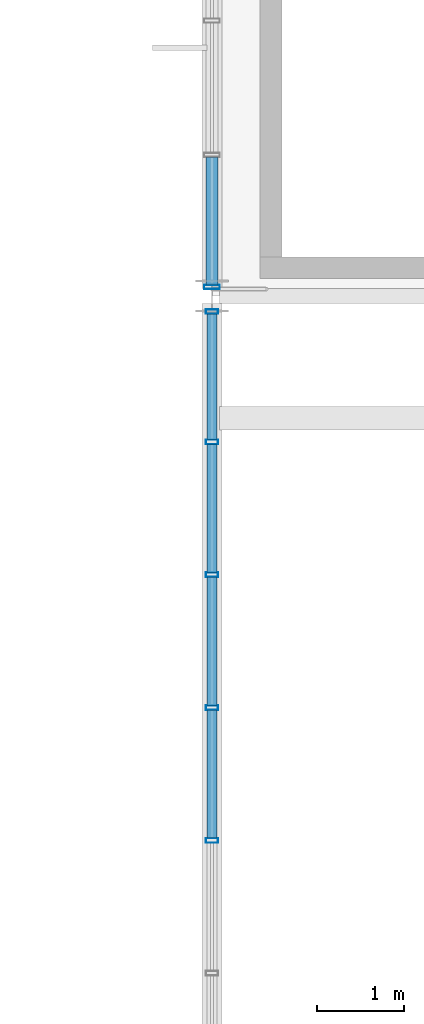
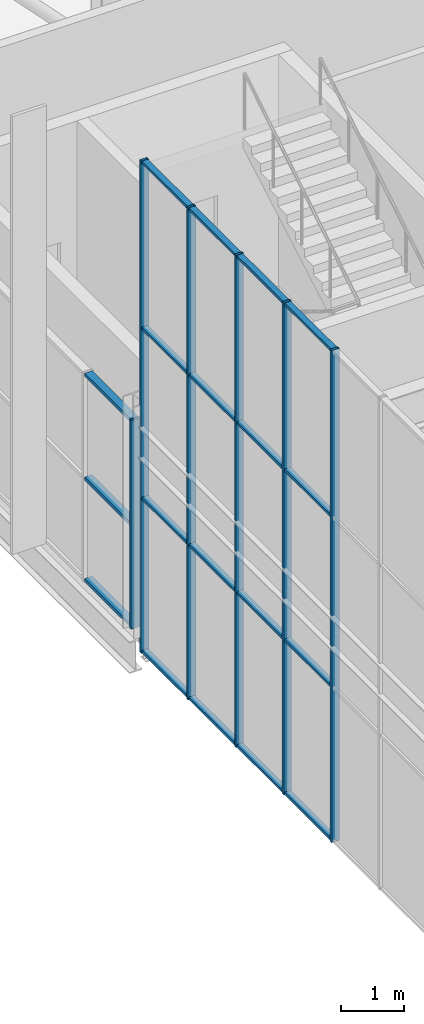
# One storey, part 73 of 324: 25 members, 2 elements without a shape of their own.
"""IFC4 building model written with IfcOpenShell, lengths in metres."""

from ifc_helpers import new_model, si_unit, direction, frame, origin, origin_2d, place, context, subcontext, project, spatial, hollow_rectangle, extrude, material, layer, layer_set, material_profile, profile_set, type_object, element, aggregate, save


model = new_model("IFC4")

# Units and contexts
model_context = context("Model", 3, precision=1e-05, world=origin(), true_north=direction((0.0, 1.0)))
body_context = subcontext(model_context, "Body", "Model", "MODEL_VIEW")
ifc_project = project(units=[si_unit("LENGTHUNIT", "METRE"), si_unit("AREAUNIT", "SQUARE_METRE"), si_unit("VOLUMEUNIT", "CUBIC_METRE"), si_unit("PLANEANGLEUNIT", "RADIAN"), si_unit("MASSUNIT", "GRAM", prefix="KILO")], contexts=[model_context])

# Site, building, storey
site_placement = place(None, origin())
site = spatial("IfcSite", under=ifc_project, at=site_placement, CompositionType="ELEMENT")
building_placement = place(site_placement, origin())
building = spatial("IfcBuilding", under=site, at=building_placement, Name="Solvenia Promenade Tram Depot", CompositionType="ELEMENT")
storey_placement = place(building_placement, frame((0.0, 0.0, 4.5)))
storey = spatial("IfcBuildingStorey", under=building, at=storey_placement, Name="L01", CompositionType="ELEMENT", Elevation=4.5)

# Curtain wall, member
ifc_material = material(Name="Anodized aluminium AW-6063 T6", Category="aluminium")
ifc_layer_1 = layer(ifc_material, 0.14990234375, Name="Anodized aluminium AW-6063 T6", Category="aluminium")
ifc_layer_set_1 = layer_set([ifc_layer_1], Name="Anodized aluminium AW-6063 T6")
curtain_wall_type_1 = type_object("IfcCurtainWallType", Name="CW-Court-1500", PredefinedType="NOTDEFINED", material=ifc_layer_set_1)
curtain_wall_1_placement = place(storey_placement, origin())
curtain_wall_1 = element("IfcCurtainWall", 1, at=curtain_wall_1_placement, inside=storey, type_object=curtain_wall_type_1, Name="Curtain Wall CW-V2W-L1-1", PredefinedType="NOTDEFINED")
ifc_material_profile_1 = material_profile(ifc_material, hollow_rectangle(XDim=0.179931640625, YDim=0.050048828125, WallThickness=0.00390625, at=origin_2d()), Name="ALU-M2", Category="aluminium")
ifc_profile_set_1 = profile_set([ifc_material_profile_1], Name="Anodized aluminium AW-6063 T6")
member_type_1 = type_object("IfcMemberType", Name="CWM-Mullion-2", PredefinedType="MULLION", material=ifc_profile_set_1)
member_1_placement = place(storey_placement, frame((105.0, 38.10498046875, 0.0), z_axis=(0.0, 0.0, 1.0), x_axis=(-1.0, 0.0, 0.0)))
member_1 = element("IfcMember", 2, at=member_1_placement, type_object=member_type_1, Name="CW-5 mullion 1", PredefinedType="MULLION", context=body_context, shape_type="SweptSolid", body=[
    extrude(hollow_rectangle(XDim=0.179931640625, YDim=0.050048828125, WallThickness=0.00390625, at=origin_2d()), origin(), (0.0, 0.0, 1.0), 4.050048828125),
])

# Curtain wall, members
ifc_layer_2 = layer(ifc_material, 0.080078125, Name="Anodized aluminium AW-6063 T6", Category="aluminium")
ifc_layer_set_2 = layer_set([ifc_layer_2], Name="Anodized aluminium AW-6063 T6")
curtain_wall_type_2 = type_object("IfcCurtainWallType", Name="CW-Clerest-1500", PredefinedType="NOTDEFINED", material=ifc_layer_set_2)
curtain_wall_2_placement = place(storey_placement, origin())
curtain_wall_2 = element("IfcCurtainWall", 3, at=curtain_wall_2_placement, inside=storey, type_object=curtain_wall_type_2, Name="Curtain Wall CW-V2W-CRANE-L1", PredefinedType="NOTDEFINED")
ifc_material_profile_2 = material_profile(ifc_material, hollow_rectangle(XDim=0.139892578125, YDim=0.054931640625, WallThickness=0.00390625, at=origin_2d()), Name="ALU-M4", Category="aluminium")
ifc_profile_set_2 = profile_set([ifc_material_profile_2], Name="Anodized aluminium AW-6063 T6")
member_type_2 = type_object("IfcMemberType", Name="CWM-Mullion-4", PredefinedType="MULLION", material=ifc_profile_set_2)
member_2_placement = place(storey_placement, frame((105.0, 31.76123046875, -0.300048828125), z_axis=(0.0, 0.0, 1.0), x_axis=(-1.0, 0.0, 0.0)))
member_2 = element("IfcMember", 4, at=member_2_placement, type_object=member_type_2, Name="CW-4 mullion 6", PredefinedType="MULLION", context=body_context, shape_type="SweptSolid", body=[
    extrude(hollow_rectangle(XDim=0.139892578125, YDim=0.054931640625, WallThickness=0.00390625, at=origin_2d()), origin(), (0.0, 0.0, 1.0), 9.550048828125),
])
member_3_placement = place(storey_placement, frame((105.0, 33.283447265625, -0.300048828125), z_axis=(0.0, 0.0, 1.0), x_axis=(-1.0, 0.0, 0.0)))
member_3 = element("IfcMember", 5, at=member_3_placement, type_object=member_type_2, Name="CW-4 mullion 7", PredefinedType="MULLION", context=body_context, shape_type="SweptSolid", body=[
    extrude(hollow_rectangle(XDim=0.139892578125, YDim=0.054931640625, WallThickness=0.00390625, at=origin_2d()), origin(), (0.0, 0.0, 1.0), 9.550048828125),
])
member_4_placement = place(storey_placement, frame((105.0, 34.8056640625, -0.300048828125), z_axis=(0.0, 0.0, 1.0), x_axis=(-1.0, 0.0, 0.0)))
member_4 = element("IfcMember", 6, at=member_4_placement, type_object=member_type_2, Name="CW-4 mullion 8", PredefinedType="MULLION", context=body_context, shape_type="SweptSolid", body=[
    extrude(hollow_rectangle(XDim=0.139892578125, YDim=0.054931640625, WallThickness=0.00390625, at=origin_2d()), origin(), (0.0, 0.0, 1.0), 9.550048828125),
])
member_5_placement = place(storey_placement, frame((105.0, 36.327880859375, -0.300048828125), z_axis=(0.0, 0.0, 1.0), x_axis=(-1.0, 0.0, 0.0)))
member_5 = element("IfcMember", 7, at=member_5_placement, type_object=member_type_2, Name="CW-4 mullion 9", PredefinedType="MULLION", context=body_context, shape_type="SweptSolid", body=[
    extrude(hollow_rectangle(XDim=0.139892578125, YDim=0.054931640625, WallThickness=0.00390625, at=origin_2d()), origin(), (0.0, 0.0, 1.0), 9.550048828125),
])
member_6_placement = place(storey_placement, frame((105.0, 37.822509765625, -0.300048828125), z_axis=(0.0, 0.0, 1.0), x_axis=(-1.0, 0.0, 0.0)))
member_6 = element("IfcMember", 8, at=member_6_placement, type_object=member_type_2, Name="CW-4 mullion 10", PredefinedType="MULLION", context=body_context, shape_type="SweptSolid", body=[
    extrude(hollow_rectangle(XDim=0.139892578125, YDim=0.054931640625, WallThickness=0.00390625, at=origin_2d()), origin(), (0.0, 0.0, 1.0), 9.550048828125),
])

# Member
ifc_material_profile_3 = material_profile(ifc_material, hollow_rectangle(XDim=0.139892578125, YDim=0.06494140625, WallThickness=0.00390625, at=origin_2d()), Name="ALU-T2", Category="aluminium")
ifc_profile_set_3 = profile_set([ifc_material_profile_3], Name="Anodized aluminium AW-6063 T6")
member_type_3 = type_object("IfcMemberType", Name="CWT-Transom-2", PredefinedType="USERDEFINED", material=ifc_profile_set_3)
member_7_placement = place(storey_placement, frame((105.0, 38.1298828125, 0.032470703125), z_axis=(0.0, 1.0, 0.0), x_axis=(-1.0, 0.0, 0.0)))
member_7 = element("IfcMember", 9, at=member_7_placement, type_object=member_type_3, Name="CW-5 transom 1.1", ObjectType="TRANSOM", PredefinedType="USERDEFINED", context=body_context, shape_type="SweptSolid", body=[
    extrude(hollow_rectangle(XDim=0.139892578125, YDim=0.06494140625, WallThickness=0.00390625, at=origin_2d()), origin(), (0.0, 0.0, 1.0), 1.462890625),
])

member_8_placement = place(storey_placement, frame((105.0, 38.1298828125, 2.0), z_axis=(0.0, 1.0, 0.0), x_axis=(-1.0, 0.0, 0.0)))
member_8 = element("IfcMember", 10, at=member_8_placement, type_object=member_type_3, Name="CW-5 transom 1.2", ObjectType="TRANSOM", PredefinedType="USERDEFINED", context=body_context, shape_type="SweptSolid", body=[
    extrude(hollow_rectangle(XDim=0.139892578125, YDim=0.06494140625, WallThickness=0.00390625, at=origin_2d()), origin(), (0.0, 0.0, 1.0), 1.462890625),
])

member_9_placement = place(storey_placement, frame((105.0, 38.1298828125, 4.017578125), z_axis=(0.0, 1.0, 0.0), x_axis=(-1.0, 0.0, 0.0)))
member_9 = element("IfcMember", 11, at=member_9_placement, type_object=member_type_3, Name="CW-5 transom 1.3", ObjectType="TRANSOM", PredefinedType="USERDEFINED", context=body_context, shape_type="SweptSolid", body=[
    extrude(hollow_rectangle(XDim=0.139892578125, YDim=0.06494140625, WallThickness=0.00390625, at=origin_2d()), origin(), (0.0, 0.0, 1.0), 1.462890625),
])

aggregate(curtain_wall_1, [member_1, member_7, member_8, member_9])

ifc_material_profile_4 = material_profile(ifc_material, hollow_rectangle(XDim=0.110107421875, YDim=0.054931640625, WallThickness=0.00390625, at=origin_2d()), Name="ALU-T4", Category="aluminium")
ifc_profile_set_4 = profile_set([ifc_material_profile_4], Name="Anodized aluminium AW-6063 T6")
member_type_4 = type_object("IfcMemberType", Name="CWT-Transom-4", PredefinedType="USERDEFINED", material=ifc_profile_set_4)
member_10_placement = place(storey_placement, frame((105.0, 31.78857421875, -0.2724609375), z_axis=(0.0, 1.0, 0.0), x_axis=(-1.0, 0.0, 0.0)))
member_10 = element("IfcMember", 12, at=member_10_placement, type_object=member_type_4, Name="CW-4 transom 6.1", ObjectType="TRANSOM", PredefinedType="USERDEFINED", context=body_context, shape_type="SweptSolid", body=[
    extrude(hollow_rectangle(XDim=0.110107421875, YDim=0.054931640625, WallThickness=0.00390625, at=origin_2d()), origin(), (0.0, 0.0, 1.0), 1.46728515625),
])

member_11_placement = place(storey_placement, frame((105.0, 31.78857421875, 2.699951171875), z_axis=(0.0, 1.0, 0.0), x_axis=(-1.0, 0.0, 0.0)))
member_11 = element("IfcMember", 13, at=member_11_placement, type_object=member_type_4, Name="CW-4 transom 6.2", ObjectType="TRANSOM", PredefinedType="USERDEFINED", context=body_context, shape_type="SweptSolid", body=[
    extrude(hollow_rectangle(XDim=0.110107421875, YDim=0.054931640625, WallThickness=0.00390625, at=origin_2d()), origin(), (0.0, 0.0, 1.0), 1.46728515625),
])

member_12_placement = place(storey_placement, frame((105.0, 31.78857421875, 6.0), z_axis=(0.0, 1.0, 0.0), x_axis=(-1.0, 0.0, 0.0)))
member_12 = element("IfcMember", 14, at=member_12_placement, type_object=member_type_4, Name="CW-4 transom 6.3", ObjectType="TRANSOM", PredefinedType="USERDEFINED", context=body_context, shape_type="SweptSolid", body=[
    extrude(hollow_rectangle(XDim=0.110107421875, YDim=0.054931640625, WallThickness=0.00390625, at=origin_2d()), origin(), (0.0, 0.0, 1.0), 1.46728515625),
])

member_13_placement = place(storey_placement, frame((105.0, 31.78857421875, 9.222412109375), z_axis=(0.0, 1.0, 0.0), x_axis=(-1.0, 0.0, 0.0)))
member_13 = element("IfcMember", 15, at=member_13_placement, type_object=member_type_4, Name="CW-4 transom 6.4", ObjectType="TRANSOM", PredefinedType="USERDEFINED", context=body_context, shape_type="SweptSolid", body=[
    extrude(hollow_rectangle(XDim=0.110107421875, YDim=0.054931640625, WallThickness=0.00390625, at=origin_2d()), origin(), (0.0, 0.0, 1.0), 1.46728515625),
])

member_14_placement = place(storey_placement, frame((105.0, 33.310791015625, -0.2724609375), z_axis=(0.0, 1.0, 0.0), x_axis=(-1.0, 0.0, 0.0)))
member_14 = element("IfcMember", 16, at=member_14_placement, type_object=member_type_4, Name="CW-4 transom 7.1", ObjectType="TRANSOM", PredefinedType="USERDEFINED", context=body_context, shape_type="SweptSolid", body=[
    extrude(hollow_rectangle(XDim=0.110107421875, YDim=0.054931640625, WallThickness=0.00390625, at=origin_2d()), origin(), (0.0, 0.0, 1.0), 1.46728515625),
])

member_15_placement = place(storey_placement, frame((105.0, 33.310791015625, 2.699951171875), z_axis=(0.0, 1.0, 0.0), x_axis=(-1.0, 0.0, 0.0)))
member_15 = element("IfcMember", 17, at=member_15_placement, type_object=member_type_4, Name="CW-4 transom 7.2", ObjectType="TRANSOM", PredefinedType="USERDEFINED", context=body_context, shape_type="SweptSolid", body=[
    extrude(hollow_rectangle(XDim=0.110107421875, YDim=0.054931640625, WallThickness=0.00390625, at=origin_2d()), origin(), (0.0, 0.0, 1.0), 1.46728515625),
])

member_16_placement = place(storey_placement, frame((105.0, 33.310791015625, 6.0), z_axis=(0.0, 1.0, 0.0), x_axis=(-1.0, 0.0, 0.0)))
member_16 = element("IfcMember", 18, at=member_16_placement, type_object=member_type_4, Name="CW-4 transom 7.3", ObjectType="TRANSOM", PredefinedType="USERDEFINED", context=body_context, shape_type="SweptSolid", body=[
    extrude(hollow_rectangle(XDim=0.110107421875, YDim=0.054931640625, WallThickness=0.00390625, at=origin_2d()), origin(), (0.0, 0.0, 1.0), 1.46728515625),
])

member_17_placement = place(storey_placement, frame((105.0, 33.310791015625, 9.222412109375), z_axis=(0.0, 1.0, 0.0), x_axis=(-1.0, 0.0, 0.0)))
member_17 = element("IfcMember", 19, at=member_17_placement, type_object=member_type_4, Name="CW-4 transom 7.4", ObjectType="TRANSOM", PredefinedType="USERDEFINED", context=body_context, shape_type="SweptSolid", body=[
    extrude(hollow_rectangle(XDim=0.110107421875, YDim=0.054931640625, WallThickness=0.00390625, at=origin_2d()), origin(), (0.0, 0.0, 1.0), 1.46728515625),
])

member_18_placement = place(storey_placement, frame((105.0, 34.8330078125, -0.2724609375), z_axis=(0.0, 1.0, 0.0), x_axis=(-1.0, 0.0, 0.0)))
member_18 = element("IfcMember", 20, at=member_18_placement, type_object=member_type_4, Name="CW-4 transom 8.1", ObjectType="TRANSOM", PredefinedType="USERDEFINED", context=body_context, shape_type="SweptSolid", body=[
    extrude(hollow_rectangle(XDim=0.110107421875, YDim=0.054931640625, WallThickness=0.00390625, at=origin_2d()), origin(), (0.0, 0.0, 1.0), 1.46728515625),
])

member_19_placement = place(storey_placement, frame((105.0, 34.8330078125, 2.699951171875), z_axis=(0.0, 1.0, 0.0), x_axis=(-1.0, 0.0, 0.0)))
member_19 = element("IfcMember", 21, at=member_19_placement, type_object=member_type_4, Name="CW-4 transom 8.2", ObjectType="TRANSOM", PredefinedType="USERDEFINED", context=body_context, shape_type="SweptSolid", body=[
    extrude(hollow_rectangle(XDim=0.110107421875, YDim=0.054931640625, WallThickness=0.00390625, at=origin_2d()), origin(), (0.0, 0.0, 1.0), 1.46728515625),
])

member_20_placement = place(storey_placement, frame((105.0, 34.8330078125, 6.0), z_axis=(0.0, 1.0, 0.0), x_axis=(-1.0, 0.0, 0.0)))
member_20 = element("IfcMember", 22, at=member_20_placement, type_object=member_type_4, Name="CW-4 transom 8.3", ObjectType="TRANSOM", PredefinedType="USERDEFINED", context=body_context, shape_type="SweptSolid", body=[
    extrude(hollow_rectangle(XDim=0.110107421875, YDim=0.054931640625, WallThickness=0.00390625, at=origin_2d()), origin(), (0.0, 0.0, 1.0), 1.46728515625),
])

member_21_placement = place(storey_placement, frame((105.0, 34.8330078125, 9.222412109375), z_axis=(0.0, 1.0, 0.0), x_axis=(-1.0, 0.0, 0.0)))
member_21 = element("IfcMember", 23, at=member_21_placement, type_object=member_type_4, Name="CW-4 transom 8.4", ObjectType="TRANSOM", PredefinedType="USERDEFINED", context=body_context, shape_type="SweptSolid", body=[
    extrude(hollow_rectangle(XDim=0.110107421875, YDim=0.054931640625, WallThickness=0.00390625, at=origin_2d()), origin(), (0.0, 0.0, 1.0), 1.46728515625),
])

member_22_placement = place(storey_placement, frame((105.0, 36.355224609375, -0.2724609375), z_axis=(0.0, 1.0, 0.0), x_axis=(-1.0, 0.0, 0.0)))
member_22 = element("IfcMember", 24, at=member_22_placement, type_object=member_type_4, Name="CW-4 transom 9.1", ObjectType="TRANSOM", PredefinedType="USERDEFINED", context=body_context, shape_type="SweptSolid", body=[
    extrude(hollow_rectangle(XDim=0.110107421875, YDim=0.054931640625, WallThickness=0.00390625, at=origin_2d()), origin(), (0.0, 0.0, 1.0), 1.439697265625),
])

member_23_placement = place(storey_placement, frame((105.0, 36.355224609375, 2.699951171875), z_axis=(0.0, 1.0, 0.0), x_axis=(-1.0, 0.0, 0.0)))
member_23 = element("IfcMember", 25, at=member_23_placement, type_object=member_type_4, Name="CW-4 transom 9.2", ObjectType="TRANSOM", PredefinedType="USERDEFINED", context=body_context, shape_type="SweptSolid", body=[
    extrude(hollow_rectangle(XDim=0.110107421875, YDim=0.054931640625, WallThickness=0.00390625, at=origin_2d()), origin(), (0.0, 0.0, 1.0), 1.439697265625),
])

member_24_placement = place(storey_placement, frame((105.0, 36.355224609375, 6.0), z_axis=(0.0, 1.0, 0.0), x_axis=(-1.0, 0.0, 0.0)))
member_24 = element("IfcMember", 26, at=member_24_placement, type_object=member_type_4, Name="CW-4 transom 9.3", ObjectType="TRANSOM", PredefinedType="USERDEFINED", context=body_context, shape_type="SweptSolid", body=[
    extrude(hollow_rectangle(XDim=0.110107421875, YDim=0.054931640625, WallThickness=0.00390625, at=origin_2d()), origin(), (0.0, 0.0, 1.0), 1.439697265625),
])

member_25_placement = place(storey_placement, frame((105.0, 36.355224609375, 9.222412109375), z_axis=(0.0, 1.0, 0.0), x_axis=(-1.0, 0.0, 0.0)))
member_25 = element("IfcMember", 27, at=member_25_placement, type_object=member_type_4, Name="CW-4 transom 9.4", ObjectType="TRANSOM", PredefinedType="USERDEFINED", context=body_context, shape_type="SweptSolid", body=[
    extrude(hollow_rectangle(XDim=0.110107421875, YDim=0.054931640625, WallThickness=0.00390625, at=origin_2d()), origin(), (0.0, 0.0, 1.0), 1.439697265625),
])

aggregate(curtain_wall_2, [member_2, member_3, member_4, member_5, member_6, member_10, member_11, member_12, member_13, member_14, member_15, member_16, member_17, member_18, member_19, member_20, member_21, member_22, member_23, member_24, member_25])

save(model, "model.ifc")
